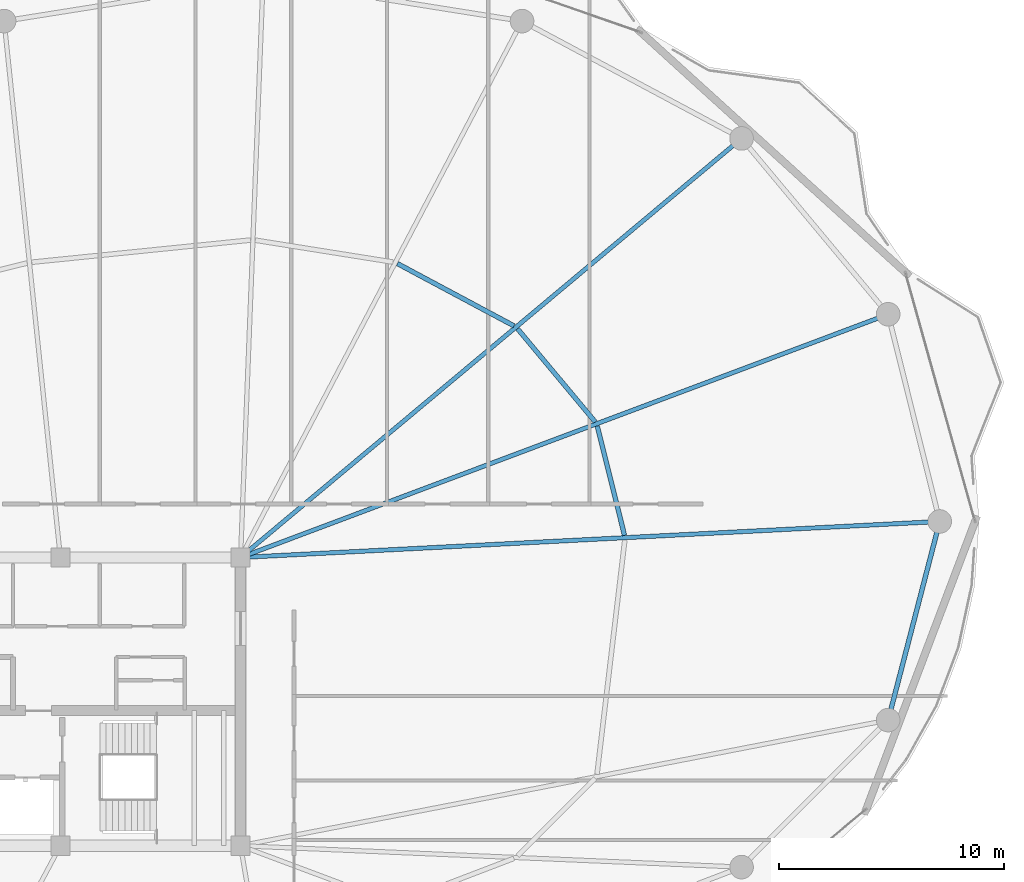
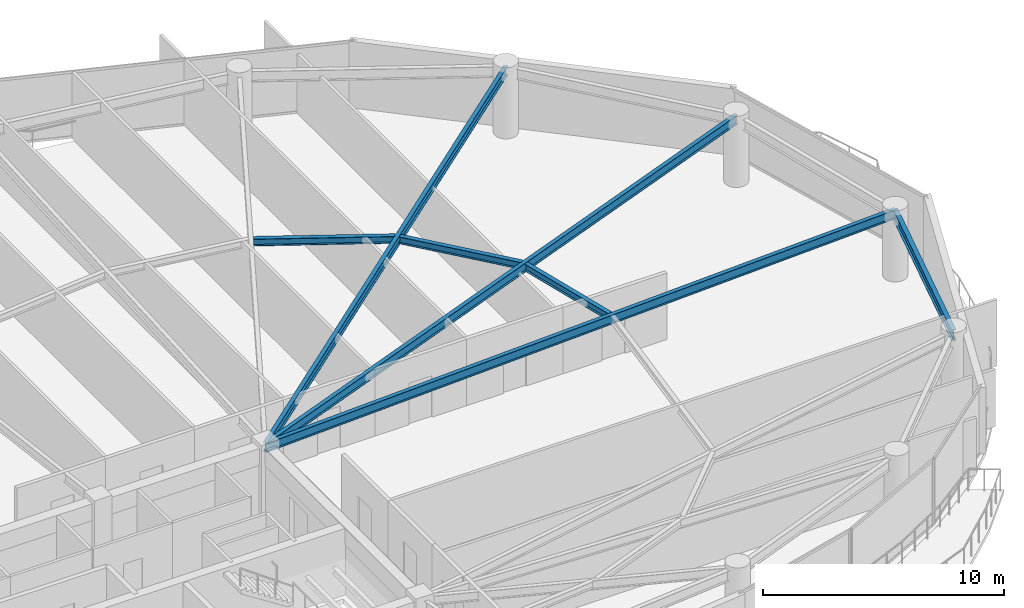
# One storey, part 14 of 29: 7 beams.
"""IFC4 building model written with IfcOpenShell, lengths in metres."""

from ifc_helpers import new_model, si_unit, direction, frame, origin, origin_2d, place, context, subcontext, project, spatial, i_section, extrude, material, material_profile, profile_set, type_object, element, save


model = new_model("IFC4")

# Units and contexts
model_context = context("Model", 3, precision=1e-05, world=origin(), true_north=direction((0.0, 1.0)))
body_context = subcontext(model_context, "Body", "Model", "MODEL_VIEW")
ifc_project = project(units=[si_unit("LENGTHUNIT", "METRE"), si_unit("AREAUNIT", "SQUARE_METRE"), si_unit("VOLUMEUNIT", "CUBIC_METRE"), si_unit("PLANEANGLEUNIT", "RADIAN"), si_unit("MASSUNIT", "GRAM", prefix="KILO")], contexts=[model_context])

# Site, building, storey
site_placement = place(None, origin())
site = spatial("IfcSite", under=ifc_project, at=site_placement, CompositionType="ELEMENT")
building_placement = place(site_placement, origin())
building = spatial("IfcBuilding", under=site, at=building_placement, Name="Kazevale Care Tower and Concert Hall", CompositionType="ELEMENT")
storey_placement = place(building_placement, frame((0.0, 0.0, 224.39990234375)))
storey = spatial("IfcBuildingStorey", under=building, at=storey_placement, Name="L59", CompositionType="ELEMENT", Elevation=224.39990234375)

# Beams
ifc_material = material(Name="Steel ASTM A572 Gr 50", Category="steel")
ifc_material_profile_1 = material_profile(ifc_material, i_section(OverallWidth=0.19091796875, OverallDepth=0.4599609375, WebThickness=0.010009765625, FlangeThickness=0.01611328125, at=origin_2d()), Name="W460x82")
ifc_profile_set_1 = profile_set([ifc_material_profile_1], Name="Steel ASTM A572 Gr 50")
beam_type_1 = type_object("IfcBeamType", Name="Radial Floor Beam W460x82", PredefinedType="BEAM", material=ifc_profile_set_1)
beam_1_placement = place(storey_placement, frame((44.0, 36.39990234375, 3.130126953125), z_axis=(0.998674821251, 0.051464564506, 0.0), x_axis=(-0.051464564506, 0.998674821251, 0.0)))
element("IfcBeam", 1, at=beam_1_placement, inside=storey, type_object=beam_type_1, Name="beam:L59:rad:01", PredefinedType="BEAM", context=body_context, shape_type="SweptSolid", body=[
    extrude(i_section(OverallWidth=0.19091796875, OverallDepth=0.4599609375, WebThickness=0.010009765625, FlangeThickness=0.01611328125, at=origin_2d()), origin(), (0.0, 0.0, 1.0), 31.09130859375),
])
beam_2_placement = place(storey_placement, frame((44.0, 36.39990234375, 3.130126953125), z_axis=(0.936168070124, 0.351552762015, 0.0), x_axis=(-0.351552762015, 0.936168070124, 0.0)))
element("IfcBeam", 2, at=beam_2_placement, inside=storey, type_object=beam_type_1, Name="beam:L59:rad:02", PredefinedType="BEAM", context=body_context, shape_type="SweptSolid", body=[
    extrude(i_section(OverallWidth=0.19091796875, OverallDepth=0.4599609375, WebThickness=0.010009765625, FlangeThickness=0.01611328125, at=origin_2d()), origin(), (0.0, 0.0, 1.0), 30.720947265625),
])
beam_3_placement = place(storey_placement, frame((44.0, 36.39990234375, 3.130126953125), z_axis=(0.767059624015, 0.64157582031, 0.0), x_axis=(-0.64157582031, 0.767059624015, 0.0)))
element("IfcBeam", 3, at=beam_3_placement, inside=storey, type_object=beam_type_1, Name="beam:L59:rad:03", PredefinedType="BEAM", context=body_context, shape_type="SweptSolid", body=[
    extrude(i_section(OverallWidth=0.19091796875, OverallDepth=0.4599609375, WebThickness=0.010009765625, FlangeThickness=0.01611328125, at=origin_2d()), origin(), (0.0, 0.0, 1.0), 29.0068359375),
])
ifc_material_profile_2 = material_profile(ifc_material, i_section(OverallWidth=0.205078125, OverallDepth=0.35400390625, WebThickness=0.009521484375, FlangeThickness=0.016845703125, at=origin_2d()), Name="W360x79")
ifc_profile_set_2 = profile_set([ifc_material_profile_2], Name="Steel ASTM A572 Gr 50")
beam_type_2 = type_object("IfcBeamType", Name="Secondary Floor Joist W360x79", PredefinedType="JOIST", material=ifc_profile_set_2)
beam_4_placement = place(storey_placement, frame((61.052001953125, 37.382080078125, 3.18310546875), z_axis=(-0.241594204931, 0.970377369967, 0.0), x_axis=(-0.970377369967, -0.241594204931, 0.0)))
element("IfcBeam", 4, at=beam_4_placement, inside=storey, type_object=beam_type_2, Name="beam:L59:joist:01", PredefinedType="JOIST", context=body_context, shape_type="SweptSolid", body=[
    extrude(i_section(OverallWidth=0.205078125, OverallDepth=0.35400390625, WebThickness=0.009521484375, FlangeThickness=0.016845703125, at=origin_2d()), origin(), (0.0, 0.0, 1.0), 5.004150390625),
])
beam_5_placement = place(storey_placement, frame((59.7509765625, 42.4208984375, 3.18310546875), z_axis=(-0.640295940788, 0.768128314939, 0.0), x_axis=(-0.768128314939, -0.640295940788, 0.0)))
element("IfcBeam", 5, at=beam_5_placement, inside=storey, type_object=beam_type_2, Name="beam:L59:joist:02", PredefinedType="JOIST", context=body_context, shape_type="SweptSolid", body=[
    extrude(i_section(OverallWidth=0.205078125, OverallDepth=0.35400390625, WebThickness=0.009521484375, FlangeThickness=0.016845703125, at=origin_2d()), origin(), (0.0, 0.0, 1.0), 5.3818359375),
])
beam_6_placement = place(storey_placement, frame((56.14501953125, 46.68505859375, 3.18310546875), z_axis=(-0.881943890935, 0.471354403016, 0.0), x_axis=(-0.471354403016, -0.881943890935, 0.0)))
element("IfcBeam", 6, at=beam_6_placement, inside=storey, type_object=beam_type_2, Name="beam:L59:joist:03", PredefinedType="JOIST", context=body_context, shape_type="SweptSolid", body=[
    extrude(i_section(OverallWidth=0.205078125, OverallDepth=0.35400390625, WebThickness=0.009521484375, FlangeThickness=0.016845703125, at=origin_2d()), origin(), (0.0, 0.0, 1.0), 5.869873046875),
])
ifc_material_profile_3 = material_profile(ifc_material, i_section(OverallWidth=0.208984375, OverallDepth=0.532958984375, WebThickness=0.01025390625, FlangeThickness=0.015625, at=origin_2d()), Name="W530x92")
ifc_profile_set_3 = profile_set([ifc_material_profile_3], Name="Steel ASTM A572 Gr 50")
beam_type_3 = type_object("IfcBeamType", Name="Upper Ring Beam W530x92", PredefinedType="BEAM", material=ifc_profile_set_3)
beam_7_placement = place(storey_placement, frame((72.760009765625, 29.179931640625, 3.093505859375), z_axis=(0.251307095899, 0.96790740443, 0.0), x_axis=(-0.96790740443, 0.251307095899, 0.0)))
element("IfcBeam", 7, at=beam_7_placement, inside=storey, type_object=beam_type_3, Name="beam:L59:ring:16", PredefinedType="BEAM", context=body_context, shape_type="SweptSolid", body=[
    extrude(i_section(OverallWidth=0.208984375, OverallDepth=0.532958984375, WebThickness=0.01025390625, FlangeThickness=0.015625, at=origin_2d()), origin(), (0.0, 0.0, 1.0), 9.112548828125),
])

save(model, "model.ifc")
